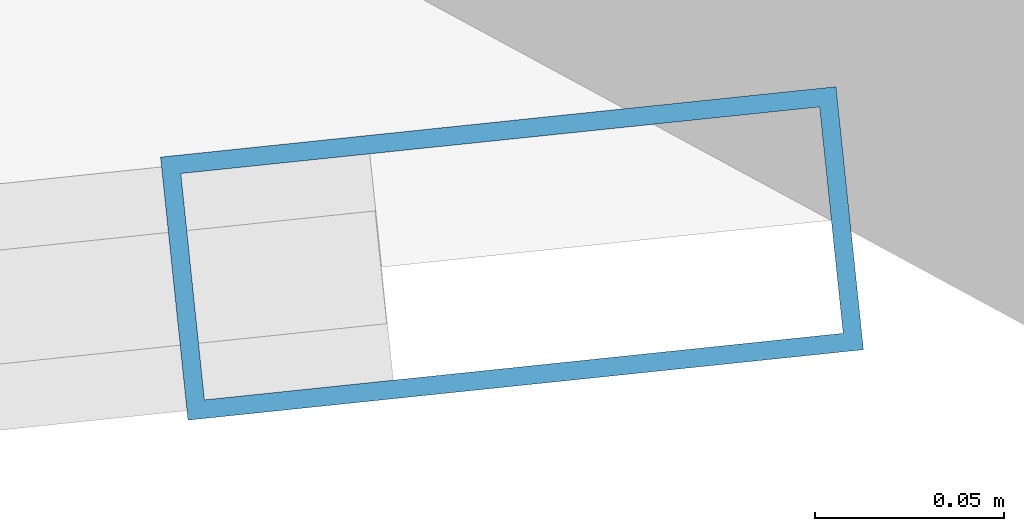
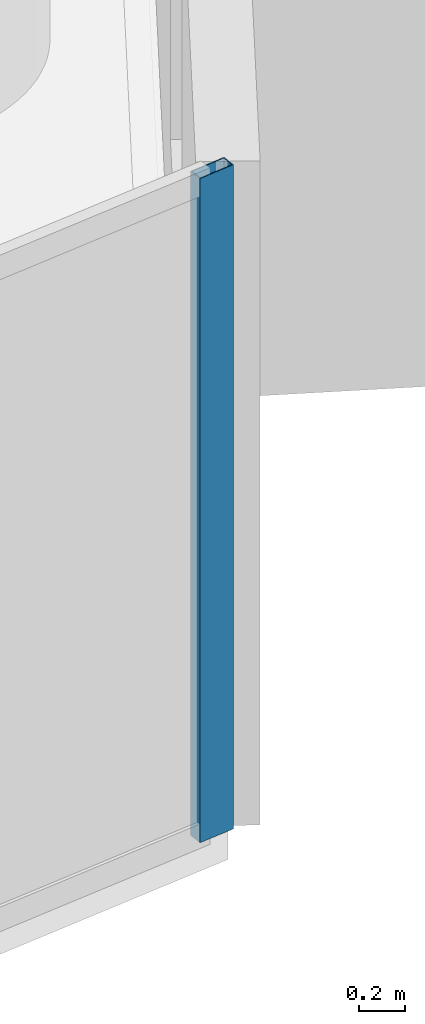
# One storey, part 13 of 23: 1 member, 1 element without a shape of its own.
"""IFC4 building model written with IfcOpenShell, lengths in metres."""

from ifc_helpers import new_model, si_unit, direction, frame, origin, origin_2d, place, context, subcontext, project, spatial, hollow_rectangle, extrude, material, layer, layer_set, material_profile, profile_set, type_object, element, aggregate, save


model = new_model("IFC4")

# Units and contexts
model_context = context("Model", 3, precision=1e-05, world=origin(), true_north=direction((0.0, 1.0)))
body_context = subcontext(model_context, "Body", "Model", "MODEL_VIEW")
ifc_project = project(units=[si_unit("LENGTHUNIT", "METRE"), si_unit("AREAUNIT", "SQUARE_METRE"), si_unit("VOLUMEUNIT", "CUBIC_METRE"), si_unit("PLANEANGLEUNIT", "RADIAN"), si_unit("MASSUNIT", "GRAM", prefix="KILO")], contexts=[model_context])

# Site, building, storey
site_placement = place(None, origin())
site = spatial("IfcSite", under=ifc_project, at=site_placement, CompositionType="ELEMENT")
building_placement = place(site_placement, origin())
building = spatial("IfcBuilding", under=site, at=building_placement, Name="Qianvela Tower", CompositionType="ELEMENT")
storey_placement = place(building_placement, frame((0.0, 0.0, 67.300048828125)))
storey = spatial("IfcBuildingStorey", under=building, at=storey_placement, Name="L16", CompositionType="ELEMENT", Elevation=67.300048828125)

# Curtain wall, member
ifc_material_1 = material(Name="Anodised Architectural Aluminium and Low-E Glass", Category="aluminium")
ifc_layer = layer(ifc_material_1, 0.179931640625)
ifc_layer_set = layer_set([ifc_layer], Name="Anodised Architectural Aluminium and Low-E Glass")
curtain_wall_type = type_object("IfcCurtainWallType", Name="CW-COLIV-Z12", PredefinedType="USERDEFINED", material=ifc_layer_set)
curtain_wall_placement = place(storey_placement, origin())
curtain_wall = element("IfcCurtainWall", 1, at=curtain_wall_placement, inside=storey, type_object=curtain_wall_type, Name="L16 CW-COLIV-Z12 Curtain Wall 06C", ObjectType="CURTAIN_WALL_SYSTEM", PredefinedType="USERDEFINED")
ifc_material_2 = material(Name="Anodised Architectural Aluminium 6063-T6", Category="aluminium")
ifc_material_profile = material_profile(ifc_material_2, hollow_rectangle(XDim=0.070068359375, YDim=0.179931640625, WallThickness=0.0048828125, at=origin_2d()), Name="ALU-MULL-70x180")
ifc_profile_set = profile_set([ifc_material_profile], Name="Anodised Architectural Aluminium 6063-T6")
member_type = type_object("IfcMemberType", Name="CW-COLIV-Z12-MULL", PredefinedType="MULLION", material=ifc_profile_set)
member_placement = place(storey_placement, frame((54.5380859375, 14.534423828125, 0.0), z_axis=(0.0, 0.0, 1.0), x_axis=(-0.103713339993, 0.994607230573, 0.0)))
member = element("IfcMember", 2, at=member_placement, type_object=member_type, Name="CW-3 mullion 2", PredefinedType="MULLION", context=body_context, shape_type="SweptSolid", body=[
    extrude(hollow_rectangle(XDim=0.070068359375, YDim=0.179931640625, WallThickness=0.0048828125, at=origin_2d()), origin(), (0.0, 0.0, 1.0), 3.52001953125),
])
aggregate(curtain_wall, [member])

save(model, "model.ifc")
